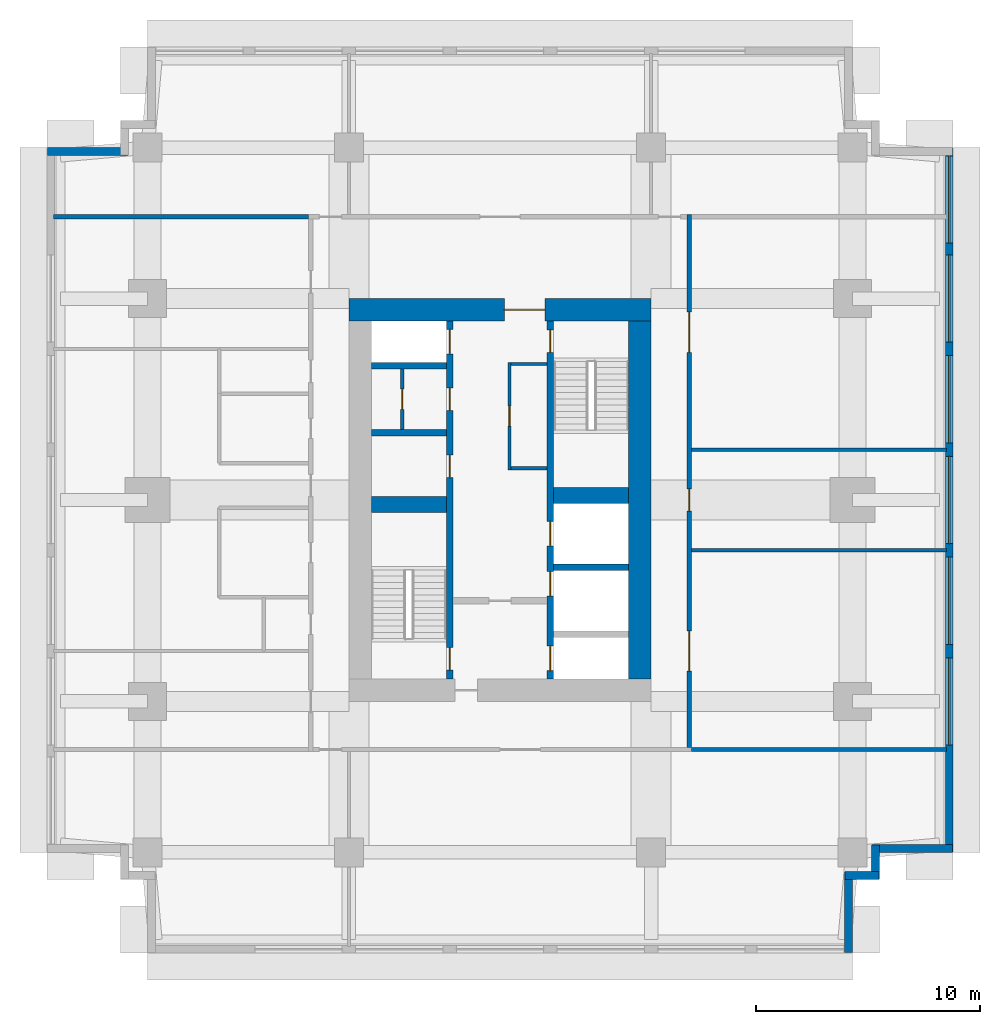
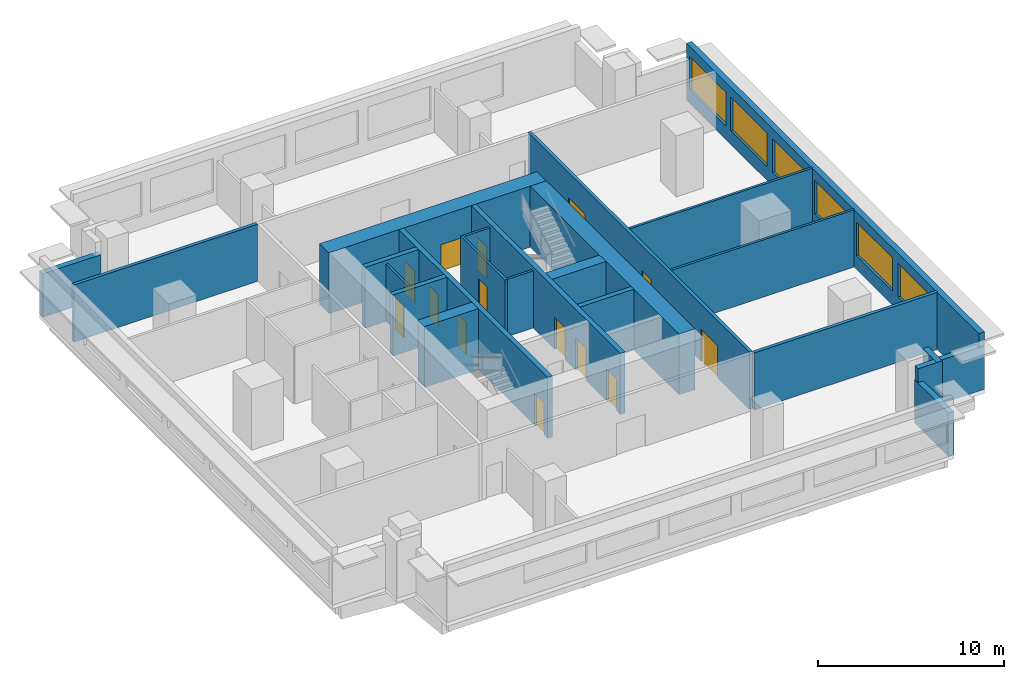
# One storey, part 3 of 5: 24 walls, 14 doors, 6 windows, 20 openings.
"""IFC4 building model written with IfcOpenShell, lengths in metres."""

from ifc_helpers import new_model, si_unit, direction, frame, frame_2d, origin, place, context, subcontext, project, spatial, rectangle, extrude, material, layer, layer_set, type_object, element, fill, save


model = new_model("IFC4")

# Units and contexts
model_context = context("Model", 3, precision=1e-05, world=origin(), true_north=direction((0.0, 1.0)))
body_context = subcontext(model_context, "Body", "Model", "MODEL_VIEW")
ifc_project = project(units=[si_unit("LENGTHUNIT", "METRE"), si_unit("AREAUNIT", "SQUARE_METRE"), si_unit("VOLUMEUNIT", "CUBIC_METRE"), si_unit("PLANEANGLEUNIT", "RADIAN"), si_unit("MASSUNIT", "GRAM", prefix="KILO")], contexts=[model_context])

# Site, building, storey
site_placement = place(None, origin())
site = spatial("IfcSite", under=ifc_project, at=site_placement, CompositionType="ELEMENT")
building_placement = place(site_placement, origin())
building = spatial("IfcBuilding", under=site, at=building_placement, Name="Namib Vertical Campus", CompositionType="ELEMENT")
storey_placement = place(building_placement, frame((0.0, 0.0, 281.0)))
storey = spatial("IfcBuildingStorey", under=building, at=storey_placement, Name="L66", CompositionType="ELEMENT", Elevation=281.0)

# Wall, openings, doors
ifc_material_1 = material(Name="Concrete C60/75", Category="concrete")
ifc_layer_1 = layer(ifc_material_1, 0.300048828125)
ifc_layer_set_1 = layer_set([ifc_layer_1], Name="Concrete C60/75")
wall_type_1 = type_object("IfcWallType", Name="Core inner wall 300", PredefinedType="SHEAR", material=ifc_layer_set_1)
wall_1_placement = place(storey_placement, frame((18.0, 12.25, 0.0), z_axis=(0.0, 0.0, 1.0), x_axis=(0.0, 1.0, 0.0)))
wall_1 = element("IfcWall", 1, at=wall_1_placement, inside=storey, type_object=wall_type_1, Name="Core inner wall A L66 W1", PredefinedType="SHEAR", context=body_context, shape_type="SweptSolid", body=[
    extrude(rectangle(XDim=16.0, YDim=0.300048828125, at=frame_2d((8.0, 0.0))), origin(), (0.0, 0.0, 1.0), 4.0),
])
opening_1_placement = place(wall_1_placement, frame((0.39990234375, 0.0, 0.0)))
opening_1 = element("IfcOpeningElement", 2, at=opening_1_placement, cuts=wall_1, Name="Opening FD1", PredefinedType="OPENING", context=body_context, shape_type="SweptSolid", body=[
    extrude(rectangle(XDim=1.0, YDim=2.10009765625, at=frame_2d((0.5, 1.050048828125))), frame((0.0, 0.159912109375, 0.0), z_axis=(0.0, -1.0, 0.0), x_axis=(1.0, 0.0, 0.0)), (0.0, 0.0, 1.0), 0.320068359375),
])
opening_2_placement = place(wall_1_placement, frame((14.52490234375, 0.0, 0.0)))
opening_2 = element("IfcOpeningElement", 3, at=opening_2_placement, cuts=wall_1, Name="Opening LD1", PredefinedType="OPENING", context=body_context, shape_type="SweptSolid", body=[
    extrude(rectangle(XDim=1.10009765625, YDim=2.10009765625, at=frame_2d((0.550048828125, 1.050048828125))), frame((0.0, 0.159912109375, 0.0), z_axis=(0.0, -1.0, 0.0), x_axis=(1.0, 0.0, 0.0)), (0.0, 0.0, 1.0), 0.320068359375),
])
opening_3_placement = place(wall_1_placement, frame((9.0, 0.0, 0.0)))
opening_3 = element("IfcOpeningElement", 4, at=opening_3_placement, cuts=wall_1, Name="Opening D1", PredefinedType="OPENING", context=body_context, shape_type="SweptSolid", body=[
    extrude(rectangle(XDim=1.0, YDim=2.10009765625, at=frame_2d((0.5, 1.050048828125))), frame((0.0, 0.159912109375, 0.0), z_axis=(0.0, -1.0, 0.0), x_axis=(1.0, 0.0, 0.0)), (0.0, 0.0, 1.0), 0.320068359375),
])
opening_4_placement = place(wall_1_placement, frame((12.0, 0.0, 0.0)))
opening_4 = element("IfcOpeningElement", 5, at=opening_4_placement, cuts=wall_1, Name="Opening D1", PredefinedType="OPENING", context=body_context, shape_type="SweptSolid", body=[
    extrude(rectangle(XDim=1.0, YDim=2.10009765625, at=frame_2d((0.5, 1.050048828125))), frame((0.0, 0.159912109375, 0.0), z_axis=(0.0, -1.0, 0.0), x_axis=(1.0, 0.0, 0.0)), (0.0, 0.0, 1.0), 0.320068359375),
])
ifc_material_2 = material(Name="Timber door leaf", Category="wood")
door_type_1 = type_object("IfcDoorType", Name="Door single 1000x2100", OperationType="SINGLE_SWING_LEFT", PredefinedType="DOOR", material=ifc_material_2)
door_1_placement = place(opening_3_placement, origin())
door_1 = element("IfcDoor", 6, at=door_1_placement, inside=storey, type_object=door_type_1, Name="Door D1 Comms room A L66 P1", OperationType="SINGLE_SWING_LEFT", OverallHeight=2.10009765625, OverallWidth=1.0, PredefinedType="DOOR", context=body_context, shape_type="SweptSolid", body=[
    extrude(rectangle(XDim=1.0, YDim=2.10009765625, at=frame_2d((0.5, 1.050048828125))), frame((0.0, 0.02490234375, 0.0), z_axis=(0.0, -1.0, 0.0), x_axis=(1.0, 0.0, 0.0)), (0.0, 0.0, 1.0), 0.050048828125),
])
fill(opening_3, door_1)
door_2_placement = place(opening_4_placement, origin())
door_2 = element("IfcDoor", 7, at=door_2_placement, inside=storey, type_object=door_type_1, Name="Door D1 Store A L66 P2", OperationType="SINGLE_SWING_LEFT", OverallHeight=2.10009765625, OverallWidth=1.0, PredefinedType="DOOR", context=body_context, shape_type="SweptSolid", body=[
    extrude(rectangle(XDim=1.0, YDim=2.10009765625, at=frame_2d((0.5, 1.050048828125))), frame((0.0, 0.02490234375, 0.0), z_axis=(0.0, -1.0, 0.0), x_axis=(1.0, 0.0, 0.0)), (0.0, 0.0, 1.0), 0.050048828125),
])
fill(opening_4, door_2)
ifc_material_3 = material(Name="Steel fire door", Category="steel")
door_type_2 = type_object("IfcDoorType", Name="Fire door 1000x2100", OperationType="SINGLE_SWING_RIGHT", PredefinedType="DOOR", material=ifc_material_3)
door_3_placement = place(opening_1_placement, origin())
door_3 = element("IfcDoor", 8, at=door_3_placement, inside=storey, type_object=door_type_2, Name="Stair door FD1 A L66 S1", OperationType="SINGLE_SWING_LEFT", OverallHeight=2.10009765625, OverallWidth=1.0, PredefinedType="DOOR", context=body_context, shape_type="SweptSolid", body=[
    extrude(rectangle(XDim=1.0, YDim=2.10009765625, at=frame_2d((0.5, 1.050048828125))), frame((0.0, 0.02490234375, 0.0), z_axis=(0.0, -1.0, 0.0), x_axis=(1.0, 0.0, 0.0)), (0.0, 0.0, 1.0), 0.050048828125),
])
fill(opening_1, door_3)
ifc_material_4 = material(Name="Stainless steel lift door", Category="steel")
door_type_3 = type_object("IfcDoorType", Name="Lift landing door 1100x2100", OperationType="DOUBLE_DOOR_SLIDING", PredefinedType="DOOR", material=ifc_material_4)
door_4_placement = place(opening_2_placement, origin())
door_4 = element("IfcDoor", 9, at=door_4_placement, inside=storey, type_object=door_type_3, Name="Lift landing door LD1 A-P3 L66", OperationType="DOUBLE_DOOR_SLIDING", OverallHeight=2.10009765625, OverallWidth=1.10009765625, PredefinedType="DOOR", context=body_context, shape_type="SweptSolid", body=[
    extrude(rectangle(XDim=1.10009765625, YDim=2.10009765625, at=frame_2d((0.550048828125, 1.050048828125))), frame((0.0, 0.02490234375, 0.0), z_axis=(0.0, -1.0, 0.0), x_axis=(1.0, 0.0, 0.0)), (0.0, 0.0, 1.0), 0.050048828125),
])
fill(opening_2, door_4)

wall_2_placement = place(storey_placement, frame((22.5, 12.25, 0.0), z_axis=(0.0, 0.0, 1.0), x_axis=(0.0, 1.0, 0.0)))
wall_2 = element("IfcWall", 10, at=wall_2_placement, inside=storey, type_object=wall_type_1, Name="Core inner wall A L66 W2", PredefinedType="SHEAR", context=body_context, shape_type="SweptSolid", body=[
    extrude(rectangle(XDim=16.0, YDim=0.300048828125, at=frame_2d((8.0, 0.0))), origin(), (0.0, 0.0, 1.0), 4.0),
])
opening_5_placement = place(wall_2_placement, frame((14.60009765625, 0.0, 0.0)))
opening_5 = element("IfcOpeningElement", 11, at=opening_5_placement, cuts=wall_2, Name="Opening FD1", PredefinedType="OPENING", context=body_context, shape_type="SweptSolid", body=[
    extrude(rectangle(XDim=1.0, YDim=2.10009765625, at=frame_2d((0.5, 1.050048828125))), frame((0.0, 0.159912109375, 0.0), z_axis=(0.0, -1.0, 0.0), x_axis=(1.0, 0.0, 0.0)), (0.0, 0.0, 1.0), 0.320068359375),
])
opening_6_placement = place(wall_2_placement, frame((0.375, 0.0, 0.0)))
opening_6 = element("IfcOpeningElement", 12, at=opening_6_placement, cuts=wall_2, Name="Opening LD1", PredefinedType="OPENING", context=body_context, shape_type="SweptSolid", body=[
    extrude(rectangle(XDim=1.10009765625, YDim=2.10009765625, at=frame_2d((0.550048828125, 1.050048828125))), frame((0.0, 0.159912109375, 0.0), z_axis=(0.0, -1.0, 0.0), x_axis=(1.0, 0.0, 0.0)), (0.0, 0.0, 1.0), 0.320068359375),
])
opening_7_placement = place(wall_2_placement, frame((3.699951171875, 0.0, 0.0)))
opening_7 = element("IfcOpeningElement", 13, at=opening_7_placement, cuts=wall_2, Name="Opening LD1", PredefinedType="OPENING", context=body_context, shape_type="SweptSolid", body=[
    extrude(rectangle(XDim=1.10009765625, YDim=2.10009765625, at=frame_2d((0.550048828125, 1.050048828125))), frame((0.0, 0.159912109375, 0.0), z_axis=(0.0, -1.0, 0.0), x_axis=(1.0, 0.0, 0.0)), (0.0, 0.0, 1.0), 0.320068359375),
])
opening_8_placement = place(wall_2_placement, frame((5.949951171875, 0.0, 0.0)))
opening_8 = element("IfcOpeningElement", 14, at=opening_8_placement, cuts=wall_2, Name="Opening LD1", PredefinedType="OPENING", context=body_context, shape_type="SweptSolid", body=[
    extrude(rectangle(XDim=1.10009765625, YDim=2.10009765625, at=frame_2d((0.550048828125, 1.050048828125))), frame((0.0, 0.159912109375, 0.0), z_axis=(0.0, -1.0, 0.0), x_axis=(1.0, 0.0, 0.0)), (0.0, 0.0, 1.0), 0.320068359375),
])
door_5_placement = place(opening_5_placement, frame((1.0, 0.0, 0.0), z_axis=(0.0, 0.0, 1.0), x_axis=(-1.0, 0.0, 0.0)))
door_5 = element("IfcDoor", 15, at=door_5_placement, inside=storey, type_object=door_type_2, Name="Stair door FD1 A L66 S2", OperationType="SINGLE_SWING_LEFT", OverallHeight=2.10009765625, OverallWidth=1.0, PredefinedType="DOOR", context=body_context, shape_type="SweptSolid", body=[
    extrude(rectangle(XDim=1.0, YDim=2.10009765625, at=frame_2d((0.5, 1.050048828125))), frame((0.0, 0.02490234375, 0.0), z_axis=(0.0, -1.0, 0.0), x_axis=(1.0, 0.0, 0.0)), (0.0, 0.0, 1.0), 0.050048828125),
])
fill(opening_5, door_5)
door_6_placement = place(opening_6_placement, origin())
door_6 = element("IfcDoor", 16, at=door_6_placement, inside=storey, type_object=door_type_3, Name="Lift landing door LD1 A-FL1 L66", OperationType="DOUBLE_DOOR_SLIDING", OverallHeight=2.10009765625, OverallWidth=1.10009765625, PredefinedType="DOOR", context=body_context, shape_type="SweptSolid", body=[
    extrude(rectangle(XDim=1.10009765625, YDim=2.10009765625, at=frame_2d((0.550048828125, 1.050048828125))), frame((0.0, 0.02490234375, 0.0), z_axis=(0.0, -1.0, 0.0), x_axis=(1.0, 0.0, 0.0)), (0.0, 0.0, 1.0), 0.050048828125),
])
fill(opening_6, door_6)
door_7_placement = place(opening_7_placement, origin())
door_7 = element("IfcDoor", 17, at=door_7_placement, inside=storey, type_object=door_type_3, Name="Lift landing door LD1 A-P4 L66", OperationType="DOUBLE_DOOR_SLIDING", OverallHeight=2.10009765625, OverallWidth=1.10009765625, PredefinedType="DOOR", context=body_context, shape_type="SweptSolid", body=[
    extrude(rectangle(XDim=1.10009765625, YDim=2.10009765625, at=frame_2d((0.550048828125, 1.050048828125))), frame((0.0, 0.02490234375, 0.0), z_axis=(0.0, -1.0, 0.0), x_axis=(1.0, 0.0, 0.0)), (0.0, 0.0, 1.0), 0.050048828125),
])
fill(opening_7, door_7)
door_8_placement = place(opening_8_placement, origin())
door_8 = element("IfcDoor", 18, at=door_8_placement, inside=storey, type_object=door_type_3, Name="Lift landing door LD1 A-P5 L66", OperationType="DOUBLE_DOOR_SLIDING", OverallHeight=2.10009765625, OverallWidth=1.10009765625, PredefinedType="DOOR", context=body_context, shape_type="SweptSolid", body=[
    extrude(rectangle(XDim=1.10009765625, YDim=2.10009765625, at=frame_2d((0.550048828125, 1.050048828125))), frame((0.0, 0.02490234375, 0.0), z_axis=(0.0, -1.0, 0.0), x_axis=(1.0, 0.0, 0.0)), (0.0, 0.0, 1.0), 0.050048828125),
])
fill(opening_8, door_8)

# Walls
for number, where, z_axis, x_axis, name in (
    (19, (22.64990234375, 17.25, 0.0), (0.0, 0.0, 1.0), (1.0, 0.0, 0.0), "Core inner wall A L66 W6"),
    (20, (14.5, 23.25, 0.0), (0.0, 0.0, 1.0), (1.0, 0.0, 0.0), "Core inner wall A L66 W8"),
    (21, (14.5, 26.25, 0.0), (0.0, 0.0, 1.0), (1.0, 0.0, 0.0), "Core inner wall A L66 W9"),
):
    element("IfcWall", number, at=place(storey_placement, frame(where, z_axis=z_axis, x_axis=x_axis)), inside=storey, type_object=wall_type_1, Name=name, PredefinedType="SHEAR", context=body_context, shape_type="SweptSolid", body=[
        extrude(rectangle(XDim=3.35009765625, YDim=0.300048828125, at=frame_2d((1.675048828125, 0.0))), origin(), (0.0, 0.0, 1.0), 4.0),
    ])
ifc_material_5 = material(Name="Concrete C60/75", Category="concrete")
ifc_layer_2 = layer(ifc_material_5, 0.699951171875)
ifc_layer_set_2 = layer_set([ifc_layer_2], Name="Concrete C60/75")
wall_type_2 = type_object("IfcWallType", Name="Core shear wall 700", PredefinedType="SHEAR", material=ifc_layer_set_2)
for number, where, z_axis, x_axis, name in (
    (22, (14.5, 20.050048828125, 0.0), (0.0, 0.0, 1.0), (1.0, 0.0, 0.0), "Core shear wall A L66 W3"),
    (23, (22.64990234375, 20.449951171875, 0.0), (0.0, 0.0, 1.0), (1.0, 0.0, 0.0), "Core shear wall A L66 W7"),
):
    element("IfcWall", number, at=place(storey_placement, frame(where, z_axis=z_axis, x_axis=x_axis)), inside=storey, type_object=wall_type_2, Name=name, PredefinedType="SHEAR", context=body_context, shape_type="SweptSolid", body=[
        extrude(rectangle(XDim=3.35009765625, YDim=0.699951171875, at=frame_2d((1.675048828125, 0.0))), origin(), (0.0, 0.0, 1.0), 4.0),
    ])
ifc_material_6 = material(Name="Concrete C60/75", Category="concrete")
ifc_layer_3 = layer(ifc_material_6, 1.0)
ifc_layer_set_3 = layer_set([ifc_layer_3], Name="Concrete C60/75")
wall_type_3 = type_object("IfcWallType", Name="Core wall 1000", PredefinedType="SHEAR", material=ifc_layer_set_3)
wall_3_placement = place(storey_placement, frame((26.5, 12.25, 0.0), z_axis=(0.0, 0.0, 1.0), x_axis=(0.0, 1.0, 0.0)))
element("IfcWall", 24, at=wall_3_placement, inside=storey, type_object=wall_type_3, Name="Core wall A L66 2", PredefinedType="SHEAR", context=body_context, shape_type="SweptSolid", body=[
    extrude(rectangle(XDim=16.0, YDim=1.0, at=frame_2d((8.0, 0.0))), origin(), (0.0, 0.0, 1.0), 4.0),
])

# Wall, opening, door
wall_4_placement = place(storey_placement, frame((27.0, 28.75, 0.0), z_axis=(0.0, 0.0, 1.0), x_axis=(-1.0, 0.0, 0.0)))
wall_4 = element("IfcWall", 25, at=wall_4_placement, inside=storey, type_object=wall_type_3, Name="Core wall A L66 3", PredefinedType="SHEAR", context=body_context, shape_type="SweptSolid", body=[
    extrude(rectangle(XDim=13.5, YDim=1.0, at=frame_2d((6.75, 0.0))), origin(), (0.0, 0.0, 1.0), 4.0),
])
opening_9_placement = place(wall_4_placement, frame((4.75, 0.0, 0.0)))
opening_9 = element("IfcOpeningElement", 26, at=opening_9_placement, cuts=wall_4, Name="Opening FD2", PredefinedType="OPENING", context=body_context, shape_type="SweptSolid", body=[
    extrude(rectangle(XDim=1.800048828125, YDim=2.10009765625, at=frame_2d((0.89990234375, 1.050048828125))), frame((0.0, 0.510009765625, 0.0), z_axis=(0.0, -1.0, 0.0), x_axis=(1.0, 0.0, 0.0)), (0.0, 0.0, 1.0), 1.02001953125),
])
ifc_material_7 = material(Name="Steel fire door", Category="steel")
door_type_4 = type_object("IfcDoorType", Name="Fire door double 1800x2100", OperationType="DOUBLE_DOOR_SINGLE_SWING", PredefinedType="DOOR", material=ifc_material_7)
door_9_placement = place(opening_9_placement, origin())
door_9 = element("IfcDoor", 27, at=door_9_placement, inside=storey, type_object=door_type_4, Name="Lift lobby door FD2 A L66", OperationType="DOUBLE_DOOR_SINGLE_SWING", OverallHeight=2.10009765625, OverallWidth=1.800048828125, PredefinedType="DOOR", context=body_context, shape_type="SweptSolid", body=[
    extrude(rectangle(XDim=1.800048828125, YDim=2.10009765625, at=frame_2d((0.89990234375, 1.050048828125))), frame((0.0, 0.02490234375, 0.0), z_axis=(0.0, -1.0, 0.0), x_axis=(1.0, 0.0, 0.0)), (0.0, 0.0, 1.0), 0.050048828125),
])
fill(opening_9, door_9)

# Wall, openings, doors
ifc_material_8 = material(Name="Concrete masonry", Category="masonry")
ifc_layer_4 = layer(ifc_material_8, 0.199951171875)
ifc_layer_set_4 = layer_set([ifc_layer_4], Name="Corridor wall 200")
wall_type_4 = type_object("IfcWallType", Name="Corridor wall 200", PredefinedType="SOLIDWALL", material=ifc_layer_set_4)
wall_5_placement = place(storey_placement, frame((28.699951171875, 9.199951171875, 0.0), z_axis=(0.0, 0.0, 1.0), x_axis=(0.0, 1.0, 0.0)))
wall_5 = element("IfcWall", 28, at=wall_5_placement, inside=storey, type_object=wall_type_4, Name="Corridor wall A L66 CE", PredefinedType="SOLIDWALL", context=body_context, shape_type="SweptSolid", body=[
    extrude(rectangle(XDim=23.800048828125, YDim=0.199951171875, at=frame_2d((11.89990234375, 0.0))), origin(), (0.0, 0.0, 1.0), 3.75),
])
opening_10_placement = place(wall_5_placement, frame((3.39990234375, 0.0, 0.0)))
opening_10 = element("IfcOpeningElement", 29, at=opening_10_placement, cuts=wall_5, Name="Opening CD2", PredefinedType="OPENING", context=body_context, shape_type="SweptSolid", body=[
    extrude(rectangle(XDim=1.800048828125, YDim=2.10009765625, at=frame_2d((0.89990234375, 1.050048828125))), frame((0.0, 0.10986328125, 0.0), z_axis=(0.0, -1.0, 0.0), x_axis=(1.0, 0.0, 0.0)), (0.0, 0.0, 1.0), 0.219970703125),
])
opening_11_placement = place(wall_5_placement, frame((10.550048828125, 0.0, 0.0)))
opening_11 = element("IfcOpeningElement", 30, at=opening_11_placement, cuts=wall_5, Name="Opening CD1", PredefinedType="OPENING", context=body_context, shape_type="SweptSolid", body=[
    extrude(rectangle(XDim=1.0, YDim=2.10009765625, at=frame_2d((0.5, 1.050048828125))), frame((0.0, 0.10986328125, 0.0), z_axis=(0.0, -1.0, 0.0), x_axis=(1.0, 0.0, 0.0)), (0.0, 0.0, 1.0), 0.219970703125),
])
opening_12_placement = place(wall_5_placement, frame((17.64990234375, 0.0, 0.0)))
opening_12 = element("IfcOpeningElement", 31, at=opening_12_placement, cuts=wall_5, Name="Opening CD2", PredefinedType="OPENING", context=body_context, shape_type="SweptSolid", body=[
    extrude(rectangle(XDim=1.800048828125, YDim=2.10009765625, at=frame_2d((0.89990234375, 1.050048828125))), frame((0.0, 0.10986328125, 0.0), z_axis=(0.0, -1.0, 0.0), x_axis=(1.0, 0.0, 0.0)), (0.0, 0.0, 1.0), 0.219970703125),
])
ifc_material_9 = material(Name="Timber fire door leaf", Category="wood")
door_type_5 = type_object("IfcDoorType", Name="Corridor door 1000x2100 20 min", OperationType="SINGLE_SWING_LEFT", PredefinedType="DOOR", material=ifc_material_9)
door_10_placement = place(opening_11_placement, frame((1.0, 0.0, 0.0), z_axis=(0.0, 0.0, 1.0), x_axis=(-1.0, 0.0, 0.0)))
door_10 = element("IfcDoor", 32, at=door_10_placement, inside=storey, type_object=door_type_5, Name="Door CD1 A66-04", OperationType="SINGLE_SWING_RIGHT", OverallHeight=2.10009765625, OverallWidth=1.0, PredefinedType="DOOR", context=body_context, shape_type="SweptSolid", body=[
    extrude(rectangle(XDim=1.0, YDim=2.10009765625, at=frame_2d((0.5, 1.050048828125))), frame((0.0, 0.02490234375, 0.0), z_axis=(0.0, -1.0, 0.0), x_axis=(1.0, 0.0, 0.0)), (0.0, 0.0, 1.0), 0.050048828125),
])
fill(opening_11, door_10)
ifc_material_10 = material(Name="Timber fire door leaf", Category="wood")
door_type_6 = type_object("IfcDoorType", Name="Corridor door double 1800x2100 20 min", OperationType="DOUBLE_DOOR_SINGLE_SWING", PredefinedType="DOOR", material=ifc_material_10)
door_11_placement = place(opening_10_placement, frame((1.800048828125, 0.0, 0.0), z_axis=(0.0, 0.0, 1.0), x_axis=(-1.0, 0.0, 0.0)))
door_11 = element("IfcDoor", 33, at=door_11_placement, inside=storey, type_object=door_type_6, Name="Door CD2 A66-03", OperationType="DOUBLE_DOOR_SINGLE_SWING", OverallHeight=2.10009765625, OverallWidth=1.800048828125, PredefinedType="DOOR", context=body_context, shape_type="SweptSolid", body=[
    extrude(rectangle(XDim=1.800048828125, YDim=2.10009765625, at=frame_2d((0.89990234375, 1.050048828125))), frame((0.0, 0.02490234375, 0.0), z_axis=(0.0, -1.0, 0.0), x_axis=(1.0, 0.0, 0.0)), (0.0, 0.0, 1.0), 0.050048828125),
])
fill(opening_10, door_11)
door_12_placement = place(opening_12_placement, frame((1.800048828125, 0.0, 0.0), z_axis=(0.0, 0.0, 1.0), x_axis=(-1.0, 0.0, 0.0)))
door_12 = element("IfcDoor", 34, at=door_12_placement, inside=storey, type_object=door_type_6, Name="Door CD2 A66-05", OperationType="DOUBLE_DOOR_SINGLE_SWING", OverallHeight=2.10009765625, OverallWidth=1.800048828125, PredefinedType="DOOR", context=body_context, shape_type="SweptSolid", body=[
    extrude(rectangle(XDim=1.800048828125, YDim=2.10009765625, at=frame_2d((0.89990234375, 1.050048828125))), frame((0.0, 0.02490234375, 0.0), z_axis=(0.0, -1.0, 0.0), x_axis=(1.0, 0.0, 0.0)), (0.0, 0.0, 1.0), 0.050048828125),
])
fill(opening_12, door_12)

# Walls
for number, where, z_axis, x_axis, name in (
    (35, (28.800048828125, 9.10009765625, 0.0), (0.0, 0.0, 1.0), (1.0, 0.0, 0.0), "Partition A L66 BSE"),
    (36, (0.300048828125, 32.89990234375, 0.0), (0.0, 0.0, 1.0), (1.0, 0.0, 0.0), "Partition A L66 BNW"),
):
    element("IfcWall", number, at=place(storey_placement, frame(where, z_axis=z_axis, x_axis=x_axis)), inside=storey, type_object=wall_type_4, Name=name, PredefinedType="SOLIDWALL", context=body_context, shape_type="SweptSolid", body=[
        extrude(rectangle(XDim=11.39990234375, YDim=0.199951171875, at=frame_2d((5.699951171875, 0.0))), origin(), (0.0, 0.0, 1.0), 3.75),
    ])
ifc_material_11 = material(Name="Concrete C40/50", Category="concrete")
ifc_layer_5 = layer(ifc_material_11, 0.35009765625)
ifc_layer_set_5 = layer_set([ifc_layer_5], Name="Concrete C40/50")
wall_type_5 = type_object("IfcWallType", Name="External wall 350 bush-hammered concrete", PredefinedType="STANDARD", material=ifc_layer_set_5)
wall_6_placement = place(storey_placement, frame((35.824951171875, 0.02001953125, 0.0), z_axis=(0.0, 0.0, 1.0), x_axis=(0.0, 1.0, 0.0)))
element("IfcWall", 37, at=wall_6_placement, inside=storey, type_object=wall_type_5, Name="External wall L66 F02", PredefinedType="STANDARD", context=body_context, shape_type="SweptSolid", body=[
    extrude(rectangle(XDim=3.60986328125, YDim=0.35009765625, at=frame_2d((1.804931640625, 0.0))), origin(), (0.0, 0.0, 1.0), 2.85009765625),
])
for number, where, z_axis, x_axis, name in (
    (38, (35.669921875, 3.47509765625, 0.0), (0.0, 0.0, 1.0), (1.0, 0.0, 0.0), "External wall L66 F03"),
    (39, (37.02490234375, 3.320068359375, 0.0), (0.0, 0.0, 1.0), (0.0, 1.0, 0.0), "External wall L66 F04"),
):
    element("IfcWall", number, at=place(storey_placement, frame(where, z_axis=z_axis, x_axis=x_axis)), inside=storey, type_object=wall_type_5, Name=name, PredefinedType="STANDARD", context=body_context, shape_type="SweptSolid", body=[
        extrude(rectangle(XDim=1.510009765625, YDim=0.35009765625, at=frame_2d((0.7548828125, 0.0))), origin(), (0.0, 0.0, 1.0), 3.75),
    ])
wall_7_placement = place(storey_placement, frame((36.8701171875, 4.675048828125, 0.0), z_axis=(0.0, 0.0, 1.0), x_axis=(1.0, 0.0, 0.0)))
element("IfcWall", 40, at=wall_7_placement, inside=storey, type_object=wall_type_5, Name="External wall L66 F05", PredefinedType="STANDARD", context=body_context, shape_type="SweptSolid", body=[
    extrude(rectangle(XDim=3.60986328125, YDim=0.35009765625, at=frame_2d((1.804931640625, 0.0))), origin(), (0.0, 0.0, 1.0), 2.85009765625),
])

# Wall, openings, windows
wall_8_placement = place(storey_placement, frame((40.324951171875, 4.52001953125, 0.0), z_axis=(0.0, 0.0, 1.0), x_axis=(0.0, 1.0, 0.0)))
wall_8 = element("IfcWall", 41, at=wall_8_placement, inside=storey, type_object=wall_type_5, Name="External wall L66 F06", PredefinedType="STANDARD", context=body_context, shape_type="SweptSolid", body=[
    extrude(rectangle(XDim=31.4599609375, YDim=0.35009765625, at=frame_2d((15.72998046875, 0.0))), origin(), (0.0, 0.0, 1.0), 3.75),
])
opening_13_placement = place(wall_8_placement, frame((4.780029296875, 0.0, 0.89990234375)))
opening_13 = element("IfcOpeningElement", 42, at=opening_13_placement, cuts=wall_8, Name="Opening W1", PredefinedType="OPENING", context=body_context, shape_type="SweptSolid", body=[
    extrude(rectangle(XDim=3.89990234375, YDim=2.199951171875, at=frame_2d((1.949951171875, 1.10009765625))), frame((0.0, 0.18505859375, 0.0), z_axis=(0.0, -1.0, 0.0), x_axis=(1.0, 0.0, 0.0)), (0.0, 0.0, 1.0), 0.3701171875),
])
opening_14_placement = place(wall_8_placement, frame((9.280029296875, 0.0, 0.89990234375)))
opening_14 = element("IfcOpeningElement", 43, at=opening_14_placement, cuts=wall_8, Name="Opening W1", PredefinedType="OPENING", context=body_context, shape_type="SweptSolid", body=[
    extrude(rectangle(XDim=3.89990234375, YDim=2.199951171875, at=frame_2d((1.949951171875, 1.10009765625))), frame((0.0, 0.18505859375, 0.0), z_axis=(0.0, -1.0, 0.0), x_axis=(1.0, 0.0, 0.0)), (0.0, 0.0, 1.0), 0.3701171875),
])
opening_15_placement = place(wall_8_placement, frame((13.780029296875, 0.0, 0.89990234375)))
opening_15 = element("IfcOpeningElement", 44, at=opening_15_placement, cuts=wall_8, Name="Opening W1", PredefinedType="OPENING", context=body_context, shape_type="SweptSolid", body=[
    extrude(rectangle(XDim=3.89990234375, YDim=2.199951171875, at=frame_2d((1.949951171875, 1.10009765625))), frame((0.0, 0.18505859375, 0.0), z_axis=(0.0, -1.0, 0.0), x_axis=(1.0, 0.0, 0.0)), (0.0, 0.0, 1.0), 0.3701171875),
])
opening_16_placement = place(wall_8_placement, frame((18.280029296875, 0.0, 0.89990234375)))
opening_16 = element("IfcOpeningElement", 45, at=opening_16_placement, cuts=wall_8, Name="Opening W1", PredefinedType="OPENING", context=body_context, shape_type="SweptSolid", body=[
    extrude(rectangle(XDim=3.89990234375, YDim=2.199951171875, at=frame_2d((1.949951171875, 1.10009765625))), frame((0.0, 0.18505859375, 0.0), z_axis=(0.0, -1.0, 0.0), x_axis=(1.0, 0.0, 0.0)), (0.0, 0.0, 1.0), 0.3701171875),
])
opening_17_placement = place(wall_8_placement, frame((22.780029296875, 0.0, 0.89990234375)))
opening_17 = element("IfcOpeningElement", 46, at=opening_17_placement, cuts=wall_8, Name="Opening W1", PredefinedType="OPENING", context=body_context, shape_type="SweptSolid", body=[
    extrude(rectangle(XDim=3.89990234375, YDim=2.199951171875, at=frame_2d((1.949951171875, 1.10009765625))), frame((0.0, 0.18505859375, 0.0), z_axis=(0.0, -1.0, 0.0), x_axis=(1.0, 0.0, 0.0)), (0.0, 0.0, 1.0), 0.3701171875),
])
opening_18_placement = place(wall_8_placement, frame((27.2099609375, 0.0, 0.89990234375)))
opening_18 = element("IfcOpeningElement", 47, at=opening_18_placement, cuts=wall_8, Name="Opening W1", PredefinedType="OPENING", context=body_context, shape_type="SweptSolid", body=[
    extrude(rectangle(XDim=3.89990234375, YDim=2.199951171875, at=frame_2d((1.949951171875, 1.10009765625))), frame((0.0, 0.18505859375, 0.0), z_axis=(0.0, -1.0, 0.0), x_axis=(1.0, 0.0, 0.0)), (0.0, 0.0, 1.0), 0.3701171875),
])
ifc_material_12 = material(Name="Dark tinted glass in black aluminium frame", Category="aluminium")
window_type = type_object("IfcWindowType", Name="Ribbon window 3900x2200", PartitioningType="SINGLE_PANEL", PredefinedType="WINDOW", material=ifc_material_12)
window_1_placement = place(opening_13_placement, origin())
window_1 = element("IfcWindow", 48, at=window_1_placement, inside=storey, type_object=window_type, Name="Window W1 L66 F06-2", OverallHeight=2.199951171875, OverallWidth=3.89990234375, PartitioningType="SINGLE_PANEL", PredefinedType="WINDOW", context=body_context, shape_type="SweptSolid", body=[
    extrude(rectangle(XDim=3.89990234375, YDim=2.199951171875, at=frame_2d((1.949951171875, 1.10009765625))), frame((0.0, 0.030029296875, 0.0), z_axis=(0.0, -1.0, 0.0), x_axis=(1.0, 0.0, 0.0)), (0.0, 0.0, 1.0), 0.06005859375),
])
fill(opening_13, window_1)
window_2_placement = place(opening_14_placement, origin())
window_2 = element("IfcWindow", 49, at=window_2_placement, inside=storey, type_object=window_type, Name="Window W1 L66 F06-3", OverallHeight=2.199951171875, OverallWidth=3.89990234375, PartitioningType="SINGLE_PANEL", PredefinedType="WINDOW", context=body_context, shape_type="SweptSolid", body=[
    extrude(rectangle(XDim=3.89990234375, YDim=2.199951171875, at=frame_2d((1.949951171875, 1.10009765625))), frame((0.0, 0.030029296875, 0.0), z_axis=(0.0, -1.0, 0.0), x_axis=(1.0, 0.0, 0.0)), (0.0, 0.0, 1.0), 0.06005859375),
])
fill(opening_14, window_2)
window_3_placement = place(opening_15_placement, origin())
window_3 = element("IfcWindow", 50, at=window_3_placement, inside=storey, type_object=window_type, Name="Window W1 L66 F06-4", OverallHeight=2.199951171875, OverallWidth=3.89990234375, PartitioningType="SINGLE_PANEL", PredefinedType="WINDOW", context=body_context, shape_type="SweptSolid", body=[
    extrude(rectangle(XDim=3.89990234375, YDim=2.199951171875, at=frame_2d((1.949951171875, 1.10009765625))), frame((0.0, 0.030029296875, 0.0), z_axis=(0.0, -1.0, 0.0), x_axis=(1.0, 0.0, 0.0)), (0.0, 0.0, 1.0), 0.06005859375),
])
fill(opening_15, window_3)
window_4_placement = place(opening_16_placement, origin())
window_4 = element("IfcWindow", 51, at=window_4_placement, inside=storey, type_object=window_type, Name="Window W1 L66 F06-5", OverallHeight=2.199951171875, OverallWidth=3.89990234375, PartitioningType="SINGLE_PANEL", PredefinedType="WINDOW", context=body_context, shape_type="SweptSolid", body=[
    extrude(rectangle(XDim=3.89990234375, YDim=2.199951171875, at=frame_2d((1.949951171875, 1.10009765625))), frame((0.0, 0.030029296875, 0.0), z_axis=(0.0, -1.0, 0.0), x_axis=(1.0, 0.0, 0.0)), (0.0, 0.0, 1.0), 0.06005859375),
])
fill(opening_16, window_4)
window_5_placement = place(opening_17_placement, origin())
window_5 = element("IfcWindow", 52, at=window_5_placement, inside=storey, type_object=window_type, Name="Window W1 L66 F06-6", OverallHeight=2.199951171875, OverallWidth=3.89990234375, PartitioningType="SINGLE_PANEL", PredefinedType="WINDOW", context=body_context, shape_type="SweptSolid", body=[
    extrude(rectangle(XDim=3.89990234375, YDim=2.199951171875, at=frame_2d((1.949951171875, 1.10009765625))), frame((0.0, 0.030029296875, 0.0), z_axis=(0.0, -1.0, 0.0), x_axis=(1.0, 0.0, 0.0)), (0.0, 0.0, 1.0), 0.06005859375),
])
fill(opening_17, window_5)
window_6_placement = place(opening_18_placement, origin())
window_6 = element("IfcWindow", 53, at=window_6_placement, inside=storey, type_object=window_type, Name="Window W1 L66 F06-7", OverallHeight=2.199951171875, OverallWidth=3.89990234375, PartitioningType="SINGLE_PANEL", PredefinedType="WINDOW", context=body_context, shape_type="SweptSolid", body=[
    extrude(rectangle(XDim=3.89990234375, YDim=2.199951171875, at=frame_2d((1.949951171875, 1.10009765625))), frame((0.0, 0.030029296875, 0.0), z_axis=(0.0, -1.0, 0.0), x_axis=(1.0, 0.0, 0.0)), (0.0, 0.0, 1.0), 0.06005859375),
])
fill(opening_18, window_6)

# Wall
wall_9_placement = place(storey_placement, frame((3.6298828125, 35.824951171875, 0.0), z_axis=(0.0, 0.0, 1.0), x_axis=(-1.0, 0.0, 0.0)))
element("IfcWall", 54, at=wall_9_placement, inside=storey, type_object=wall_type_5, Name="External wall L66 F15", PredefinedType="STANDARD", context=body_context, shape_type="SweptSolid", body=[
    extrude(rectangle(XDim=3.60986328125, YDim=0.35009765625, at=frame_2d((1.804931640625, 0.0))), origin(), (0.0, 0.0, 1.0), 2.85009765625),
])

# Wall, opening, door
ifc_material_13 = material(Name="Gypsum board on steel studs", Category="steel")
ifc_layer_6 = layer(ifc_material_13, 0.14990234375)
ifc_layer_set_6 = layer_set([ifc_layer_6], Name="Gypsum board on steel studs")
wall_type_6 = type_object("IfcWallType", Name="Partition 150", PredefinedType="PARTITIONING", material=ifc_layer_set_6)
wall_10_placement = place(storey_placement, frame((20.675048828125, 21.60009765625, 0.0), z_axis=(0.0, 0.0, 1.0), x_axis=(0.0, 1.0, 0.0)))
wall_10 = element("IfcWall", 55, at=wall_10_placement, inside=storey, type_object=wall_type_6, Name="Partition A L66 Staff pantry front", PredefinedType="PARTITIONING", context=body_context, shape_type="SweptSolid", body=[
    extrude(rectangle(XDim=4.7998046875, YDim=0.14990234375, at=frame_2d((2.39990234375, 0.0))), origin(), (0.0, 0.0, 1.0), 3.75),
])
opening_19_placement = place(wall_10_placement, frame((1.949951171875, 0.0, 0.0)))
opening_19 = element("IfcOpeningElement", 56, at=opening_19_placement, cuts=wall_10, Name="Opening D3", PredefinedType="OPENING", context=body_context, shape_type="SweptSolid", body=[
    extrude(rectangle(XDim=0.89990234375, YDim=2.10009765625, at=frame_2d((0.449951171875, 1.050048828125))), frame((0.0, 0.0849609375, 0.0), z_axis=(0.0, -1.0, 0.0), x_axis=(1.0, 0.0, 0.0)), (0.0, 0.0, 1.0), 0.169921875),
])
ifc_material_14 = material(Name="Timber door leaf", Category="wood")
door_type_7 = type_object("IfcDoorType", Name="Toilet door 900x2100", OperationType="SINGLE_SWING_LEFT", PredefinedType="DOOR", material=ifc_material_14)
door_13_placement = place(opening_19_placement, frame((0.89990234375, 0.0, 0.0), z_axis=(0.0, 0.0, 1.0), x_axis=(-1.0, 0.0, 0.0)))
door_13 = element("IfcDoor", 57, at=door_13_placement, inside=storey, type_object=door_type_7, Name="Door D3 Staff pantry A L66", OperationType="SINGLE_SWING_RIGHT", OverallHeight=2.10009765625, OverallWidth=0.89990234375, PredefinedType="DOOR", context=body_context, shape_type="SweptSolid", body=[
    extrude(rectangle(XDim=0.89990234375, YDim=2.10009765625, at=frame_2d((0.449951171875, 1.050048828125))), frame((0.0, 0.02490234375, 0.0), z_axis=(0.0, -1.0, 0.0), x_axis=(1.0, 0.0, 0.0)), (0.0, 0.0, 1.0), 0.050048828125),
])
fill(opening_19, door_13)

# Walls
for number, where, z_axis, x_axis, name in (
    (58, (20.75, 21.675048828125, 0.0), (0.0, 0.0, 1.0), (1.0, 0.0, 0.0), "Partition A L66 Staff pantry end 1"),
    (59, (20.75, 26.324951171875, 0.0), (0.0, 0.0, 1.0), (1.0, 0.0, 0.0), "Partition A L66 Staff pantry end 2"),
):
    element("IfcWall", number, at=place(storey_placement, frame(where, z_axis=z_axis, x_axis=x_axis)), inside=storey, type_object=wall_type_6, Name=name, PredefinedType="PARTITIONING", context=body_context, shape_type="SweptSolid", body=[
        extrude(rectangle(XDim=1.60009765625, YDim=0.14990234375, at=frame_2d((0.800048828125, 0.0))), origin(), (0.0, 0.0, 1.0), 3.75),
    ])

# Wall, opening, door
wall_11_placement = place(storey_placement, frame((15.875, 23.39990234375, 0.0), z_axis=(0.0, 0.0, 1.0), x_axis=(0.0, 1.0, 0.0)))
wall_11 = element("IfcWall", 60, at=wall_11_placement, inside=storey, type_object=wall_type_6, Name="Partition A L66 Store P2 back", PredefinedType="PARTITIONING", context=body_context, shape_type="SweptSolid", body=[
    extrude(rectangle(XDim=2.7001953125, YDim=0.14990234375, at=frame_2d((1.35009765625, 0.0))), origin(), (0.0, 0.0, 1.0), 3.75),
])
opening_20_placement = place(wall_11_placement, frame((0.89990234375, 0.0, 0.0)))
opening_20 = element("IfcOpeningElement", 61, at=opening_20_placement, cuts=wall_11, Name="Opening D3", PredefinedType="OPENING", context=body_context, shape_type="SweptSolid", body=[
    extrude(rectangle(XDim=0.89990234375, YDim=2.10009765625, at=frame_2d((0.449951171875, 1.050048828125))), frame((0.0, 0.0849609375, 0.0), z_axis=(0.0, -1.0, 0.0), x_axis=(1.0, 0.0, 0.0)), (0.0, 0.0, 1.0), 0.169921875),
])
door_14_placement = place(opening_20_placement, origin())
door_14 = element("IfcDoor", 62, at=door_14_placement, inside=storey, type_object=door_type_7, Name="Door D3 Store A L66 P2", OperationType="SINGLE_SWING_LEFT", OverallHeight=2.10009765625, OverallWidth=0.89990234375, PredefinedType="DOOR", context=body_context, shape_type="SweptSolid", body=[
    extrude(rectangle(XDim=0.89990234375, YDim=2.10009765625, at=frame_2d((0.449951171875, 1.050048828125))), frame((0.0, 0.02490234375, 0.0), z_axis=(0.0, -1.0, 0.0), x_axis=(1.0, 0.0, 0.0)), (0.0, 0.0, 1.0), 0.050048828125),
])
fill(opening_20, door_14)

# Walls
for number, where, z_axis, x_axis, name in (
    (63, (28.800048828125, 18.0, 0.0), (0.0, 0.0, 1.0), (1.0, 0.0, 0.0), "Partition A L66 PE1"),
    (64, (28.800048828125, 22.5, 0.0), (0.0, 0.0, 1.0), (1.0, 0.0, 0.0), "Partition A L66 PE2"),
):
    element("IfcWall", number, at=place(storey_placement, frame(where, z_axis=z_axis, x_axis=x_axis)), inside=storey, type_object=wall_type_6, Name=name, PredefinedType="PARTITIONING", context=body_context, shape_type="SweptSolid", body=[
        extrude(rectangle(XDim=11.39990234375, YDim=0.14990234375, at=frame_2d((5.699951171875, 0.0))), origin(), (0.0, 0.0, 1.0), 3.75),
    ])

save(model, "model.ifc")
